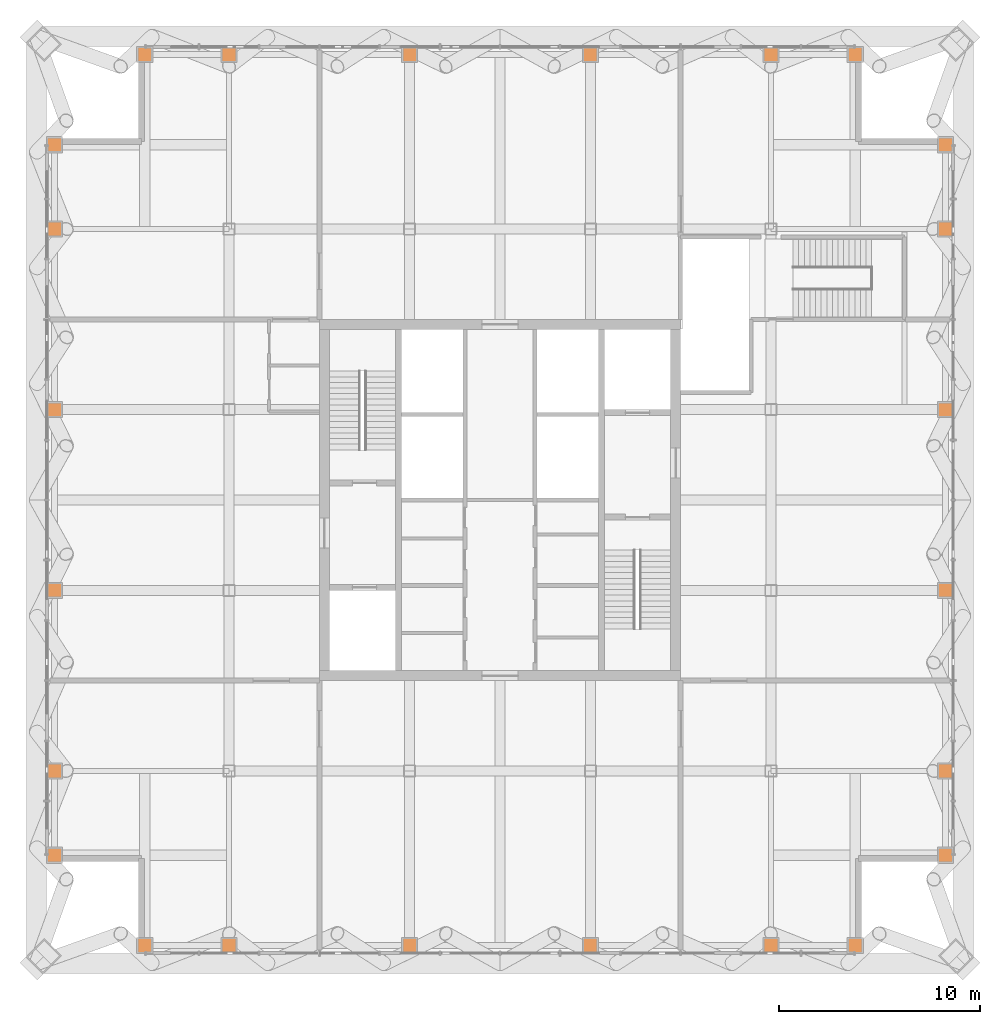
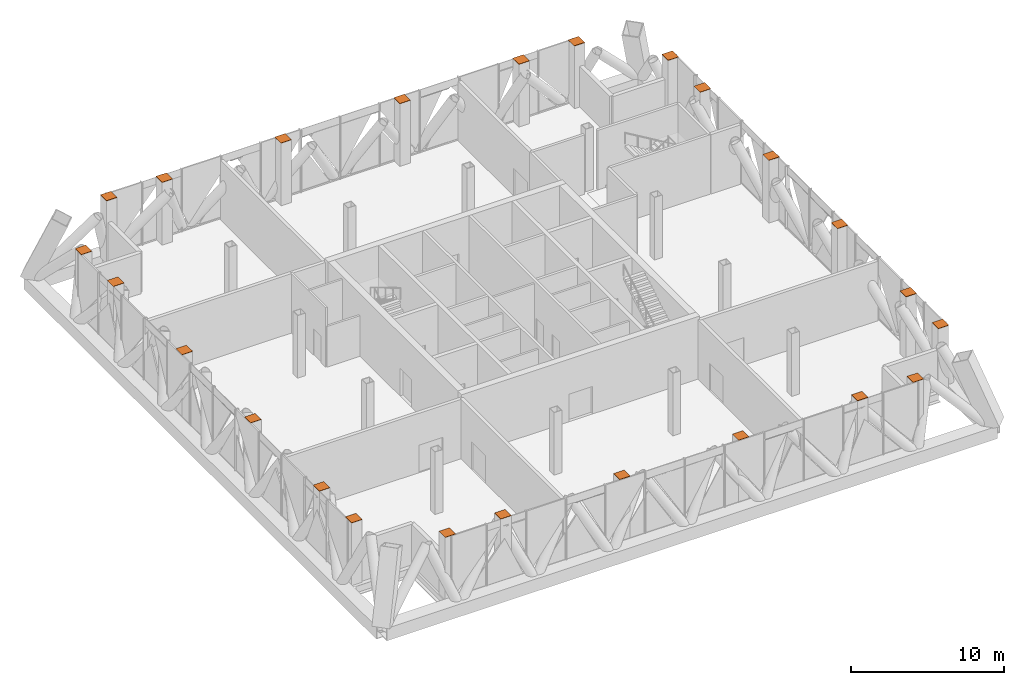
# One storey, part 27 of 27: 24 proxies.
"""IFC4 building model written with IfcOpenShell, lengths in metres."""

from ifc_helpers import new_model, si_unit, direction, frame, origin, origin_2d, place, context, subcontext, project, spatial, rectangle, extrude, material, layer, layer_set, type_object, element, save


model = new_model("IFC4")

# Units and contexts
model_context = context("Model", 3, precision=1e-05, world=origin(), true_north=direction((0.0, 1.0)))
body_context = subcontext(model_context, "Body", "Model", "MODEL_VIEW")
ifc_project = project(units=[si_unit("LENGTHUNIT", "METRE"), si_unit("AREAUNIT", "SQUARE_METRE"), si_unit("VOLUMEUNIT", "CUBIC_METRE"), si_unit("PLANEANGLEUNIT", "RADIAN"), si_unit("MASSUNIT", "GRAM", prefix="KILO")], contexts=[model_context])

# Site, building, storey
site_placement = place(None, origin())
site = spatial("IfcSite", under=ifc_project, at=site_placement, CompositionType="ELEMENT")
building_placement = place(site_placement, origin())
building = spatial("IfcBuilding", under=site, at=building_placement, Name="Malebo Sky Hospital", CompositionType="ELEMENT")
storey_placement = place(building_placement, frame((0.0, 0.0, 245.0)))
storey = spatial("IfcBuildingStorey", under=building, at=storey_placement, Name="L59", CompositionType="ELEMENT", Elevation=245.0)

# Proxies
ifc_material = material(Name="Steel S355", Category="steel")
ifc_layer = layer(ifc_material, 0.030029296875)
ifc_layer_set = layer_set([ifc_layer], Name="COLUMN CAP PLATE 800x800x30")
building_element_proxy_type = type_object("IfcBuildingElementProxyType", Name="COLUMN CAP PLATE 800x800x30", PredefinedType="USERDEFINED", material=ifc_layer_set)
for number, where, name in (
    (1, (82.199951171875, 75.5, -245.0), "Column cap plate PC7 L59"),
    (2, (82.199951171875, 79.699951171875, -245.0), "Column cap plate PC7 L59"),
    (3, (82.199951171875, 66.5, -245.0), "Column cap plate PC7 L59"),
    (4, (82.199951171875, 48.5, -245.0), "Column cap plate PC7 L59"),
    (5, (82.199951171875, 44.300048828125, -245.0), "Column cap plate PC7 L59"),
    (6, (82.199951171875, 57.5, -245.0), "Column cap plate PC7 L59"),
    (7, (73.5, 84.199951171875, -245.0), "Column cap plate PC7 L59"),
    (8, (77.699951171875, 84.199951171875, -245.0), "Column cap plate PC7 L59"),
    (9, (64.5, 84.199951171875, -245.0), "Column cap plate PC7 L59"),
    (10, (46.5, 84.199951171875, -245.0), "Column cap plate PC7 L59"),
    (11, (42.300048828125, 84.199951171875, -245.0), "Column cap plate PC7 L59"),
    (12, (55.5, 84.199951171875, -245.0), "Column cap plate PC7 L59"),
    (13, (73.5, 39.800048828125, -245.0), "Column cap plate PC7 L59"),
    (14, (77.699951171875, 39.800048828125, -245.0), "Column cap plate PC7 L59"),
    (15, (64.5, 39.800048828125, -245.0), "Column cap plate PC7 L59"),
    (16, (46.5, 39.800048828125, -245.0), "Column cap plate PC7 L59"),
    (17, (42.300048828125, 39.800048828125, -245.0), "Column cap plate PC7 L59"),
    (18, (55.5, 39.800048828125, -245.0), "Column cap plate PC7 L59"),
    (19, (37.800048828125, 75.5, -245.0), "Column cap plate PC7 L59"),
    (20, (37.800048828125, 79.699951171875, -245.0), "Column cap plate PC7 L59"),
    (21, (37.800048828125, 66.5, -245.0), "Column cap plate PC7 L59"),
    (22, (37.800048828125, 48.5, -245.0), "Column cap plate PC7 L59"),
    (23, (37.800048828125, 44.300048828125, -245.0), "Column cap plate PC7 L59"),
    (24, (37.800048828125, 57.5, -245.0), "Column cap plate PC7 L59"),
):
    element("IfcBuildingElementProxy", number, at=place(storey_placement, frame(where)), inside=storey, type_object=building_element_proxy_type, Name=name, ObjectType="COLUMN CAP PLATE", PredefinedType="USERDEFINED", context=body_context, shape_type="SweptSolid", body=[
        extrude(rectangle(XDim=0.800048828125, YDim=0.800048828125, at=origin_2d()), frame((0.0, 0.0, 250.0)), (0.0, 0.0, 1.0), 0.030029296875),
    ])

save(model, "model.ifc")
